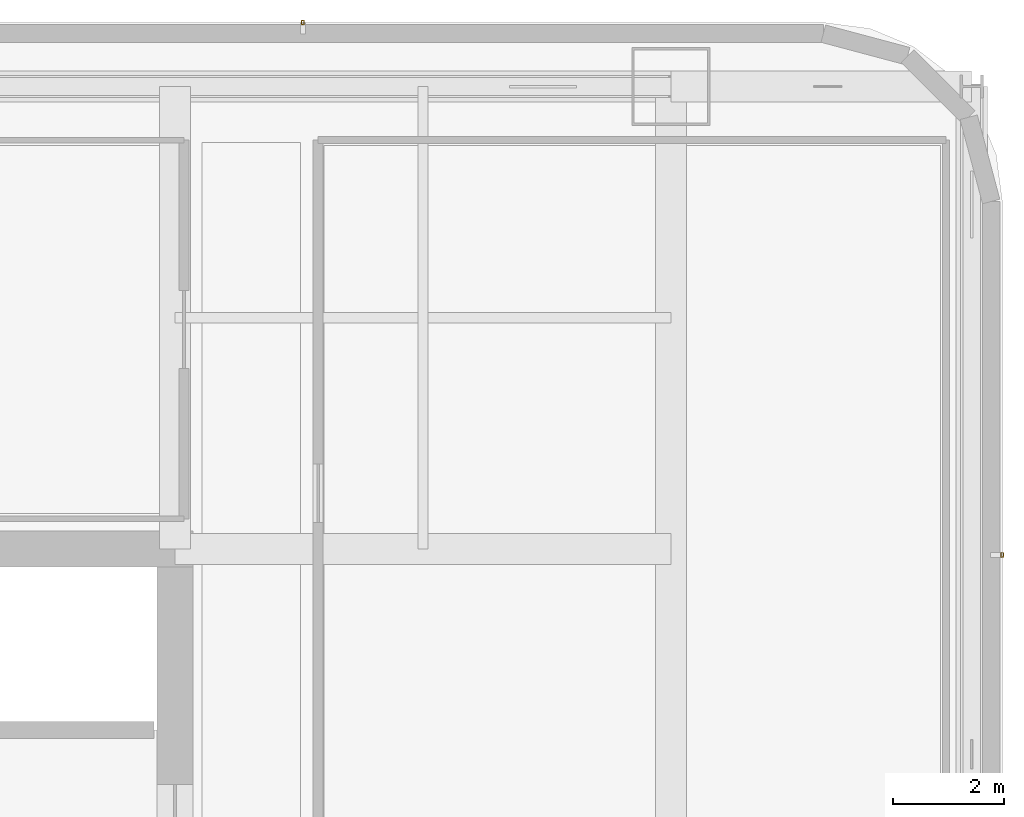
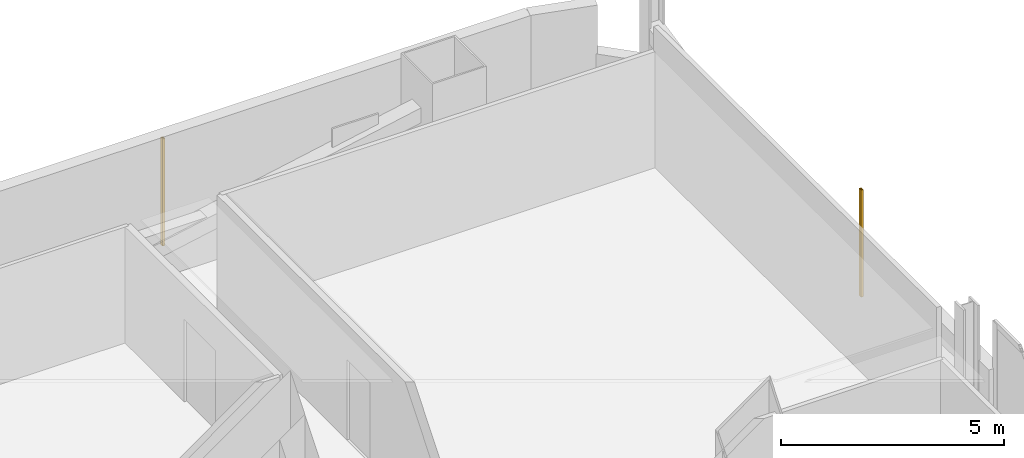
# One storey, part 27 of 27: 2 shading devices.
"""IFC4 building model written with IfcOpenShell, lengths in metres."""

from ifc_helpers import new_model, si_unit, direction, frame, origin, origin_2d, place, context, subcontext, project, spatial, hollow_rectangle, extrude, material, material_profile, profile_set, type_object, element, save


model = new_model("IFC4")

# Units and contexts
model_context = context("Model", 3, precision=1e-05, world=origin(), true_north=direction((0.0, 1.0)))
body_context = subcontext(model_context, "Body", "Model", "MODEL_VIEW")
ifc_project = project(units=[si_unit("LENGTHUNIT", "METRE"), si_unit("AREAUNIT", "SQUARE_METRE"), si_unit("VOLUMEUNIT", "CUBIC_METRE"), si_unit("PLANEANGLEUNIT", "RADIAN"), si_unit("MASSUNIT", "GRAM", prefix="KILO")], contexts=[model_context])

# Site, building, storey
site_placement = place(None, origin())
site = spatial("IfcSite", under=ifc_project, at=site_placement, CompositionType="ELEMENT")
building_placement = place(site_placement, origin())
building = spatial("IfcBuilding", under=site, at=building_placement, Name="Punatoya Terracotta Tower", CompositionType="ELEMENT")
storey_placement = place(building_placement, frame((0.0, 0.0, 204.60009765625)))
storey = spatial("IfcBuildingStorey", under=building, at=storey_placement, Name="L48", CompositionType="ELEMENT", Elevation=204.60009765625)

# Shading devices
ifc_material = material(Name="Architectural Fired Terracotta", Category="masonry")
ifc_material_profile = material_profile(ifc_material, hollow_rectangle(XDim=0.06005859375, YDim=0.090087890625, WallThickness=0.013916015625, at=origin_2d()))
ifc_profile_set = profile_set([ifc_material_profile], Name="Architectural Fired Terracotta")
shading_device_type = type_object("IfcShadingDeviceType", Name="SHD-JALI-90", PredefinedType="JALOUSIE", material=ifc_profile_set)
for number, where, z_axis, x_axis, name in (
    (1, (25.050048828125, 9.093505859375, 0.599853515625), (0.0, 0.0, 1.0), (1.0, 0.0, 0.0), "L48 Braced Bay Terracotta Jali Fin E2"),
    (2, (12.493408203125, 18.64990234375, 0.599853515625), (0.0, 0.0, 1.0), (1.0, 0.0, 0.0), "L48 Braced Bay Terracotta Jali Fin N1"),
):
    element("IfcShadingDevice", number, at=place(storey_placement, frame(where, z_axis=z_axis, x_axis=x_axis)), inside=storey, type_object=shading_device_type, Name=name, PredefinedType="JALOUSIE", context=body_context, shape_type="SweptSolid", body=[
        extrude(hollow_rectangle(XDim=0.06005859375, YDim=0.090087890625, WallThickness=0.013916015625, at=origin_2d()), origin(), (0.0, 0.0, 1.0), 2.929931640625),
    ])

save(model, "model.ifc")
